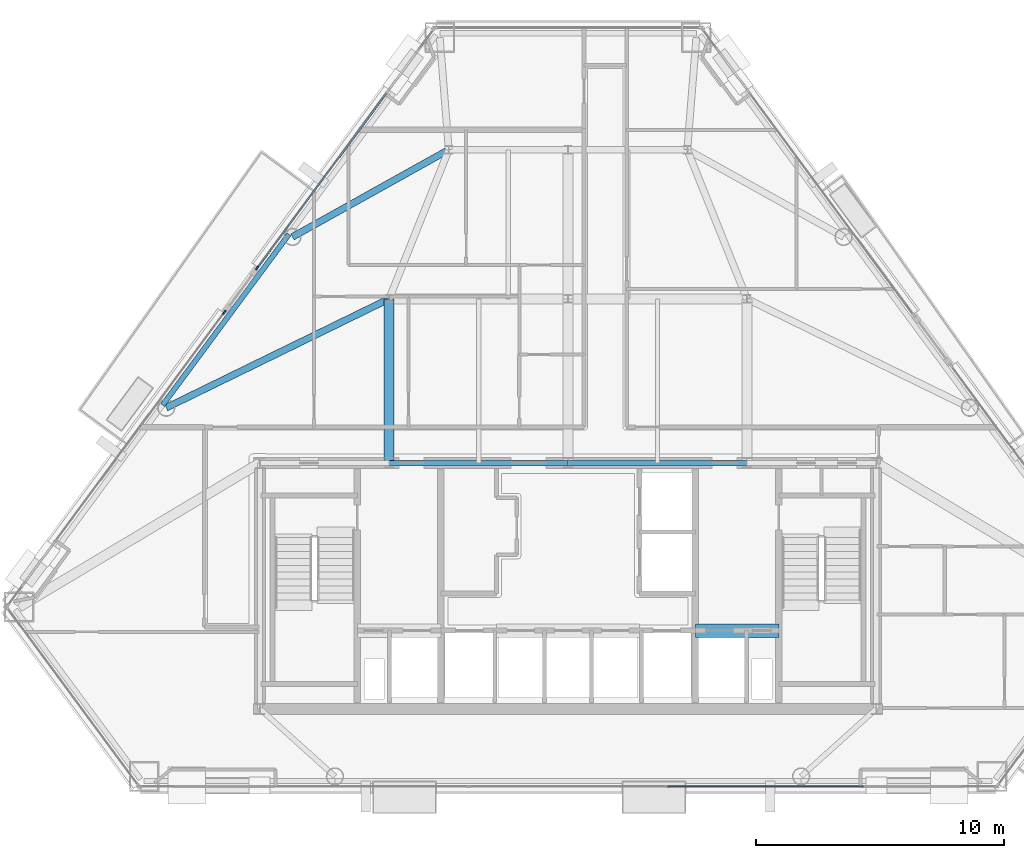
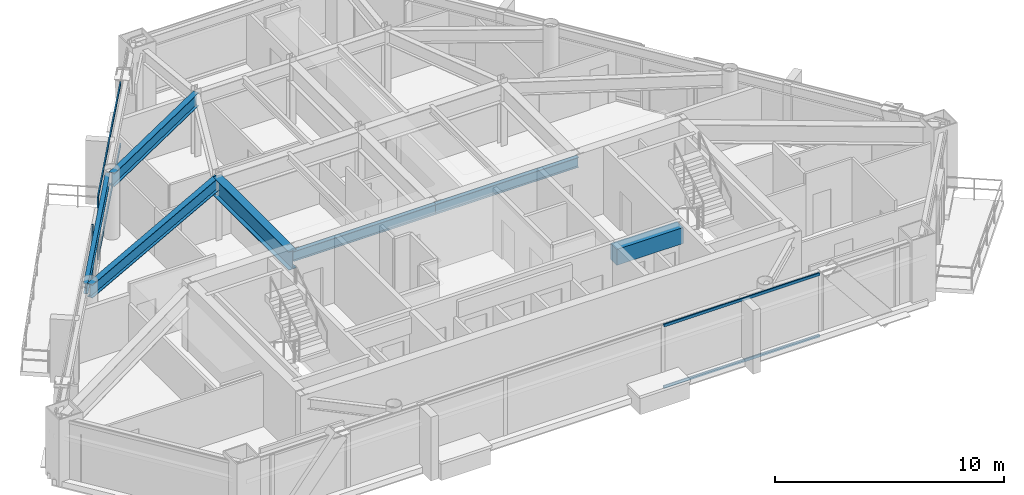
# One storey, part 4 of 13: 7 beams, 6 members, 3 elements without a shape of their own.
"""IFC4 building model written with IfcOpenShell, lengths in metres."""

from ifc_helpers import new_model, si_unit, direction, frame, origin, origin_2d, place, context, subcontext, project, spatial, rectangle, i_section, extrude, material, layer, layer_set, material_profile, profile_set, type_object, element, aggregate, save


model = new_model("IFC4")

# Units and contexts
model_context = context("Model", 3, precision=1e-05, world=origin(), true_north=direction((0.0, 1.0)))
body_context = subcontext(model_context, "Body", "Model", "MODEL_VIEW")
ifc_project = project(units=[si_unit("LENGTHUNIT", "METRE"), si_unit("AREAUNIT", "SQUARE_METRE"), si_unit("VOLUMEUNIT", "CUBIC_METRE"), si_unit("PLANEANGLEUNIT", "RADIAN"), si_unit("MASSUNIT", "GRAM", prefix="KILO")], contexts=[model_context])

# Site, building, storey
site_placement = place(None, origin())
site = spatial("IfcSite", under=ifc_project, at=site_placement, CompositionType="ELEMENT")
building_placement = place(site_placement, origin())
building = spatial("IfcBuilding", under=site, at=building_placement, Name="Talgorran Terracotta Tower", CompositionType="ELEMENT")
storey_placement = place(building_placement, frame((0.0, 0.0, 132.89990234375)))
storey = spatial("IfcBuildingStorey", under=building, at=storey_placement, Name="L34", CompositionType="ELEMENT", Elevation=132.89990234375)

# Beams
ifc_material_1 = material(Name="Steel Grade 350 (350L0)", Category="steel")
ifc_material_profile_1 = material_profile(ifc_material_1, i_section(OverallWidth=0.39990234375, OverallDepth=1.0, WebThickness=0.01611328125, FlangeThickness=0.031005859375, at=origin_2d()), Name="1000WB296")
ifc_profile_set_1 = profile_set([ifc_material_profile_1], Name="Steel Grade 350 (350L0)")
beam_type_1 = type_object("IfcBeamType", Name="BM_1000WB296", PredefinedType="BEAM", material=ifc_profile_set_1)
beam_1_placement = place(storey_placement, frame((-7.199951171875, -4.199951171875, 2.85009765625), z_axis=(0.0, 1.0, 0.0), x_axis=(-1.0, 0.0, 0.0)))
element("IfcBeam", 1, at=beam_1_placement, inside=storey, type_object=beam_type_1, Name="L34 Floor Girder G01", PredefinedType="BEAM", context=body_context, shape_type="SweptSolid", body=[
    extrude(i_section(OverallWidth=0.39990234375, OverallDepth=1.0, WebThickness=0.01611328125, FlangeThickness=0.031005859375, at=origin_2d()), origin(), (0.0, 0.0, 1.0), 6.599853515625),
])
ifc_material_2 = material(Name="Steel S355 (300PLUS)", Category="steel")
ifc_material_profile_2 = material_profile(ifc_material_2, i_section(OverallWidth=0.27490234375, OverallDepth=0.7080078125, WebThickness=0.011962890625, FlangeThickness=0.02490234375, at=origin_2d()), Name="700WB173")
ifc_profile_set_2 = profile_set([ifc_material_profile_2], Name="Steel S355 (300PLUS)")
beam_type_2 = type_object("IfcBeamType", Name="BM_700WB173", PredefinedType="BEAM", material=ifc_profile_set_2)
beam_2_placement = place(storey_placement, frame((-7.199951171875, 2.39990234375, 2.99609375), z_axis=(-0.898565721625, -0.438838972655, 0.0), x_axis=(0.438838972655, -0.898565721625, 0.0)))
element("IfcBeam", 2, at=beam_2_placement, inside=storey, type_object=beam_type_2, Name="L34 Floor Girder G06", PredefinedType="BEAM", context=body_context, shape_type="SweptSolid", body=[
    extrude(i_section(OverallWidth=0.27490234375, OverallDepth=0.7080078125, WebThickness=0.011962890625, FlangeThickness=0.02490234375, at=origin_2d()), origin(), (0.0, 0.0, 1.0), 9.981689453125),
])
beam_3_placement = place(storey_placement, frame((-4.800048828125, 8.39990234375, 2.99609375), z_axis=(-0.873422120385, -0.48696385864, 0.0), x_axis=(0.48696385864, -0.873422120385, 0.0)))
element("IfcBeam", 3, at=beam_3_placement, inside=storey, type_object=beam_type_2, Name="L34 Floor Girder G13", PredefinedType="BEAM", context=body_context, shape_type="SweptSolid", body=[
    extrude(i_section(OverallWidth=0.27490234375, OverallDepth=0.7080078125, WebThickness=0.011962890625, FlangeThickness=0.02490234375, at=origin_2d()), origin(), (0.0, 0.0, 1.0), 7.199951171875),
])
ifc_material_3 = material(Name="Concrete C50/60", Category="concrete")
ifc_material_profile_3 = material_profile(ifc_material_3, rectangle(XDim=0.550048828125, YDim=0.85009765625, at=origin_2d()), Name="RCCB550X850")
ifc_profile_set_3 = profile_set([ifc_material_profile_3], Name="Concrete C50/60")
beam_type_3 = type_object("IfcBeamType", Name="BM_CB_550X850", PredefinedType="LINTEL", material=ifc_profile_set_3)
beam_4_placement = place(storey_placement, frame((5.1201171875, -10.949951171875, 2.925048828125), z_axis=(1.0, 0.0, 0.0), x_axis=(0.0, 1.0, 0.0)))
element("IfcBeam", 4, at=beam_4_placement, inside=storey, type_object=beam_type_3, Name="L34 Core Shear-Wall Coupling Beam CB3", PredefinedType="LINTEL", context=body_context, shape_type="SweptSolid", body=[
    extrude(rectangle(XDim=0.550048828125, YDim=0.85009765625, at=origin_2d()), origin(), (0.0, 0.0, 1.0), 3.35986328125),
])
ifc_material_profile_4 = material_profile(ifc_material_2, i_section(OverallWidth=0.209228515625, OverallDepth=0.532958984375, WebThickness=0.01025390625, FlangeThickness=0.015625, at=origin_2d()), Name="530UB92.4")
ifc_profile_set_4 = profile_set([ifc_material_profile_4], Name="Steel S355 (300PLUS)")
beam_type_4 = type_object("IfcBeamType", Name="BM_SP_530UB92", PredefinedType="SPANDREL", material=ifc_profile_set_4)
beam_5_placement = place(storey_placement, frame((-11.2333984375, 5.000732421875, 3.08349609375), z_axis=(-0.594373393058, -0.804189200142, 0.0), x_axis=(0.804189200142, -0.594373393058, 0.0)))
element("IfcBeam", 5, at=beam_5_placement, inside=storey, type_object=beam_type_4, Name="L34 Perimeter Spandrel Beam FC5-FC6", PredefinedType="SPANDREL", context=body_context, shape_type="SweptSolid", body=[
    extrude(i_section(OverallWidth=0.209228515625, OverallDepth=0.532958984375, WebThickness=0.01025390625, FlangeThickness=0.015625, at=origin_2d()), origin(), (0.0, 0.0, 1.0), 8.5478515625),
])
for number, where, z_axis, x_axis, name in (
    (6, (-7.199951171875, -4.199951171875, 3.08349609375), (1.0, 0.0, 0.0), (0.0, 1.0, 0.0), "L34 Core Frame Beam CFN2"),
    (7, (0.0, -4.199951171875, 3.08349609375), (1.0, 0.0, 0.0), (0.0, 1.0, 0.0), "L34 Core Frame Beam CFN3"),
):
    element("IfcBeam", number, at=place(storey_placement, frame(where, z_axis=z_axis, x_axis=x_axis)), inside=storey, type_object=beam_type_4, Name=name, PredefinedType="SPANDREL", context=body_context, shape_type="SweptSolid", body=[
        extrude(i_section(OverallWidth=0.209228515625, OverallDepth=0.532958984375, WebThickness=0.01025390625, FlangeThickness=0.015625, at=origin_2d()), origin(), (0.0, 0.0, 1.0), 7.199951171875),
    ])

# Curtain wall, member
ifc_material_4 = material(Name="Unitised Low-E Double Glazing", Category="glass")
ifc_layer = layer(ifc_material_4, 0.199951171875, Name="CW_SYS2_RES_LOW")
ifc_layer_set = layer_set([ifc_layer], Name="Unitised Low-E Double Glazing")
curtain_wall_type = type_object("IfcCurtainWallType", Name="CW_SYS2_RES_LOW", PredefinedType="NOTDEFINED", material=ifc_layer_set)
curtain_wall_1_placement = place(storey_placement, origin())
curtain_wall_1 = element("IfcCurtainWall", 8, at=curtain_wall_1_placement, inside=storey, type_object=curtain_wall_type, Name="CW-L34-F60C", PredefinedType="NOTDEFINED")
ifc_material_5 = material(Name="Architectural Aluminium 6063-T6", Category="aluminium")
ifc_material_profile_5 = material_profile(ifc_material_5, rectangle(XDim=0.06494140625, YDim=0.18505859375, at=origin_2d()), Name="CWM65X185")
ifc_profile_set_5 = profile_set([ifc_material_profile_5], Name="Architectural Aluminium 6063-T6")
member_type_1 = type_object("IfcMemberType", Name="MUL_65X185", PredefinedType="MULLION", material=ifc_profile_set_5)
member_1_placement = place(storey_placement, frame((-12.5068359375, 3.64794921875, 0.0), z_axis=(0.0, 0.0, 1.0), x_axis=(0.804199416305, -0.594359570307, 0.0)))
member_1 = element("IfcMember", 9, at=member_1_placement, type_object=member_type_1, Name="CW-L34-60C mullion 2", PredefinedType="MULLION", context=body_context, shape_type="SweptSolid", body=[
    extrude(rectangle(XDim=0.06494140625, YDim=0.18505859375, at=origin_2d()), origin(), (0.0, 0.0, 1.0), 3.35009765625),
])

curtain_wall_2_placement = place(storey_placement, origin())
curtain_wall_2 = element("IfcCurtainWall", 10, at=curtain_wall_2_placement, inside=storey, type_object=curtain_wall_type, Name="CW-L34-F61", PredefinedType="NOTDEFINED")
member_2_placement = place(storey_placement, frame((-13.829345703125, 1.8583984375, 0.0), z_axis=(0.0, 0.0, 1.0), x_axis=(0.804197899578, -0.594361622512, 0.0)))
member_2 = element("IfcMember", 11, at=member_2_placement, type_object=member_type_1, Name="CW-L34-61 mullion 1", PredefinedType="MULLION", context=body_context, shape_type="SweptSolid", body=[
    extrude(rectangle(XDim=0.06494140625, YDim=0.18505859375, at=origin_2d()), origin(), (0.0, 0.0, 1.0), 3.35009765625),
])
aggregate(curtain_wall_2, [member_2])

# Curtain wall, members
curtain_wall_3_placement = place(storey_placement, origin())
curtain_wall_3 = element("IfcCurtainWall", 12, at=curtain_wall_3_placement, inside=storey, type_object=curtain_wall_type, Name="CW-L34-F1C", PredefinedType="NOTDEFINED")
ifc_material_profile_6 = material_profile(ifc_material_5, rectangle(XDim=0.06494140625, YDim=0.14990234375, at=origin_2d()), Name="CWT65X150")
ifc_profile_set_6 = profile_set([ifc_material_profile_6], Name="Architectural Aluminium 6063-T6")
member_type_2 = type_object("IfcMemberType", Name="TRN_65X150", PredefinedType="USERDEFINED", material=ifc_profile_set_6)
member_3_placement = place(storey_placement, frame((4.016845703125, -17.218994140625, 0.03271484375), z_axis=(1.0, 0.0, 0.0), x_axis=(0.0, 1.0, 0.0)))
member_3 = element("IfcMember", 13, at=member_3_placement, type_object=member_type_2, Name="CW-L34-1C transom 3.1", ObjectType="TRANSOM", PredefinedType="USERDEFINED", context=body_context, shape_type="SweptSolid", body=[
    extrude(rectangle(XDim=0.06494140625, YDim=0.14990234375, at=origin_2d()), origin(), (0.0, 0.0, 1.0), 7.870849609375),
])
member_4_placement = place(storey_placement, frame((4.016845703125, -17.218994140625, 3.317626953125), z_axis=(1.0, 0.0, 0.0), x_axis=(0.0, 1.0, 0.0)))
member_4 = element("IfcMember", 14, at=member_4_placement, type_object=member_type_2, Name="CW-L34-1C transom 3.2", ObjectType="TRANSOM", PredefinedType="USERDEFINED", context=body_context, shape_type="SweptSolid", body=[
    extrude(rectangle(XDim=0.06494140625, YDim=0.14990234375, at=origin_2d()), origin(), (0.0, 0.0, 1.0), 7.870849609375),
])
aggregate(curtain_wall_3, [member_3, member_4])

# Member
member_5_placement = place(storey_placement, frame((-7.31103515625, 10.67822265625, 0.03271484375), z_axis=(-0.594356380712, -0.804201773628, 0.0), x_axis=(0.804201773628, -0.594356380712, 0.0)))
member_5 = element("IfcMember", 15, at=member_5_placement, type_object=member_type_2, Name="CW-L34-60C transom 1.1", ObjectType="TRANSOM", PredefinedType="USERDEFINED", context=body_context, shape_type="SweptSolid", body=[
    extrude(rectangle(XDim=0.06494140625, YDim=0.14990234375, at=origin_2d()), origin(), (0.0, 0.0, 1.0), 8.70947265625),
])

member_6_placement = place(storey_placement, frame((-7.31103515625, 10.67822265625, 3.317626953125), z_axis=(-0.594356380712, -0.804201773628, 0.0), x_axis=(0.804201773628, -0.594356380712, 0.0)))
member_6 = element("IfcMember", 16, at=member_6_placement, type_object=member_type_2, Name="CW-L34-60C transom 1.2", ObjectType="TRANSOM", PredefinedType="USERDEFINED", context=body_context, shape_type="SweptSolid", body=[
    extrude(rectangle(XDim=0.06494140625, YDim=0.14990234375, at=origin_2d()), origin(), (0.0, 0.0, 1.0), 8.70947265625),
])

aggregate(curtain_wall_1, [member_1, member_5, member_6])

save(model, "model.ifc")
